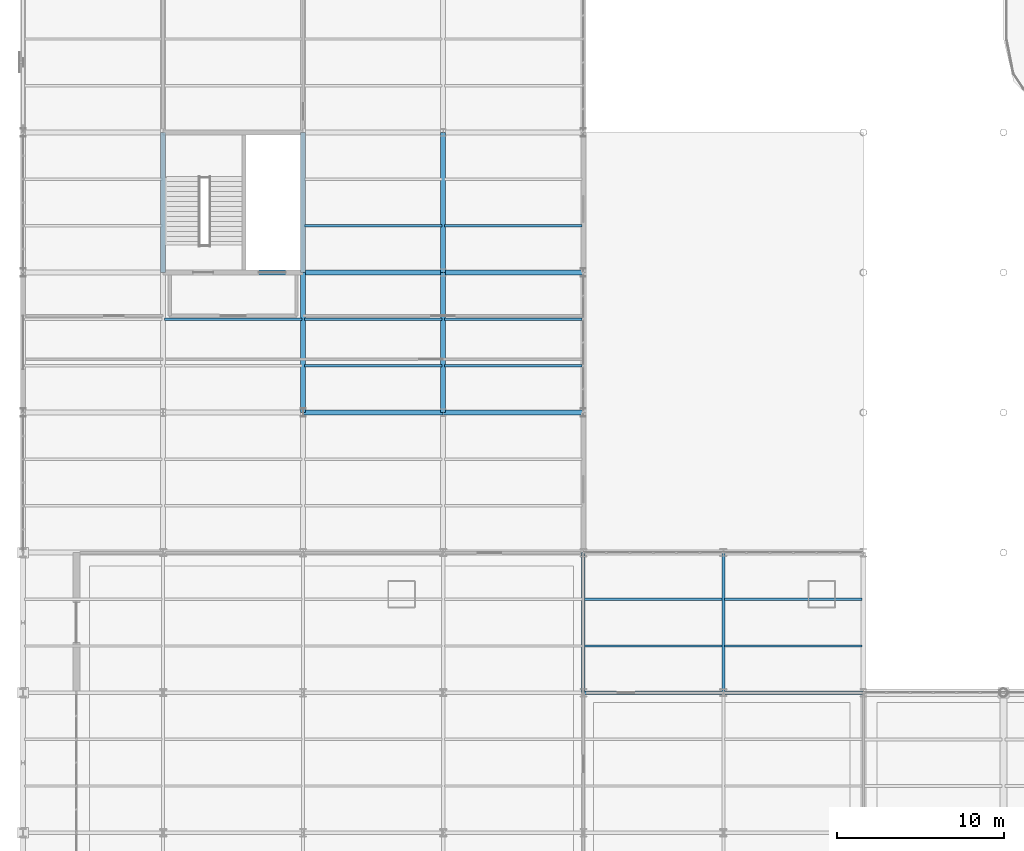
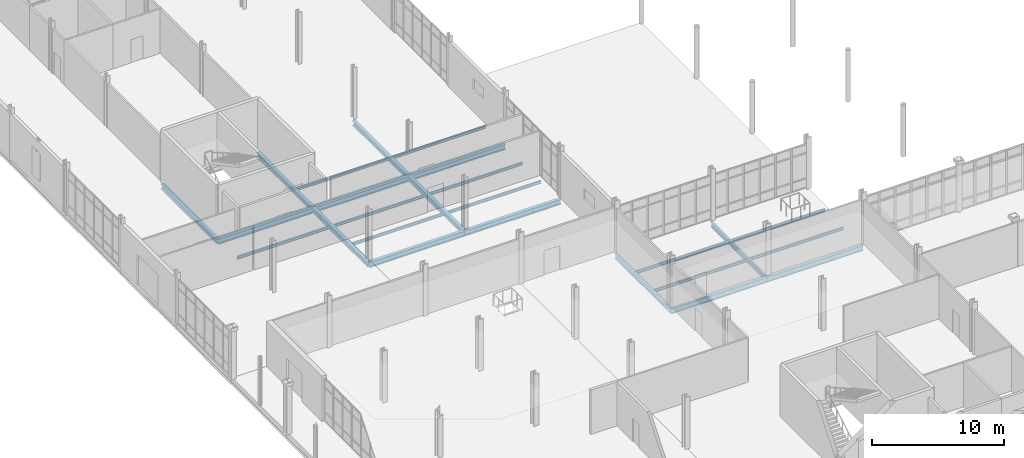
# One storey, part 38 of 145: 25 beams.
"""IFC4 building model written with IfcOpenShell, lengths in metres."""

from ifc_helpers import new_model, si_unit, direction, frame, origin, origin_2d, place, context, subcontext, project, spatial, i_section, extrude, material, material_profile, profile_set, type_object, element, save


model = new_model("IFC4")

# Units and contexts
model_context = context("Model", 3, precision=1e-05, world=origin(), true_north=direction((0.0, 1.0)))
body_context = subcontext(model_context, "Body", "Model", "MODEL_VIEW")
ifc_project = project(units=[si_unit("LENGTHUNIT", "METRE"), si_unit("AREAUNIT", "SQUARE_METRE"), si_unit("VOLUMEUNIT", "CUBIC_METRE"), si_unit("PLANEANGLEUNIT", "RADIAN"), si_unit("MASSUNIT", "GRAM", prefix="KILO")], contexts=[model_context])

# Site, building, storey
site_placement = place(None, origin())
site = spatial("IfcSite", under=ifc_project, at=site_placement, CompositionType="ELEMENT")
building_placement = place(site_placement, origin())
building = spatial("IfcBuilding", under=site, at=building_placement, Name="Qalvenar Corner Mobility Hub", CompositionType="ELEMENT")
storey_placement = place(building_placement, origin())
storey = spatial("IfcBuildingStorey", under=building, at=storey_placement, Name="L00", CompositionType="ELEMENT", Elevation=0.0)

# Beams
ifc_material = material(Name="Steel S355", Category="steel")
ifc_material_profile_1 = material_profile(ifc_material, i_section(OverallWidth=0.300048828125, OverallDepth=0.43994140625, WebThickness=0.011474609375, FlangeThickness=0.02099609375, FilletRadius=0.027099609375, at=origin_2d()), Name="HEA450")
ifc_profile_set_1 = profile_set([ifc_material_profile_1], Name="Steel S355")
beam_type_1 = type_object("IfcBeamType", Name="BM-HEA450", PredefinedType="BEAM", material=ifc_profile_set_1)
beam_1_placement = place(storey_placement, frame((8.39990234375, 58.800048828125, -0.43994140625), z_axis=(0.0, 1.0, 0.0), x_axis=(-1.0, 0.0, 0.0)))
element("IfcBeam", 1, at=beam_1_placement, inside=storey, type_object=beam_type_1, Name="Primary Steel Girder GY-0455", PredefinedType="BEAM", context=body_context, shape_type="SweptSolid", body=[
    extrude(i_section(OverallWidth=0.300048828125, OverallDepth=0.43994140625, WebThickness=0.011474609375, FlangeThickness=0.02099609375, FilletRadius=0.027099609375, at=origin_2d()), origin(), (0.0, 0.0, 1.0), 8.39990234375),
])
beam_2_placement = place(storey_placement, frame((16.800048828125, 50.39990234375, -0.43994140625), z_axis=(0.0, 1.0, 0.0), x_axis=(-1.0, 0.0, 0.0)))
element("IfcBeam", 2, at=beam_2_placement, inside=storey, type_object=beam_type_1, Name="Primary Steel Girder GY-0460", PredefinedType="BEAM", context=body_context, shape_type="SweptSolid", body=[
    extrude(i_section(OverallWidth=0.300048828125, OverallDepth=0.43994140625, WebThickness=0.011474609375, FlangeThickness=0.02099609375, FilletRadius=0.027099609375, at=origin_2d()), origin(), (0.0, 0.0, 1.0), 8.400146484375),
])
beam_3_placement = place(storey_placement, frame((16.800048828125, 58.800048828125, -0.43994140625), z_axis=(0.0, 1.0, 0.0), x_axis=(-1.0, 0.0, 0.0)))
element("IfcBeam", 3, at=beam_3_placement, inside=storey, type_object=beam_type_1, Name="Primary Steel Girder GY-0461", PredefinedType="BEAM", context=body_context, shape_type="SweptSolid", body=[
    extrude(i_section(OverallWidth=0.300048828125, OverallDepth=0.43994140625, WebThickness=0.011474609375, FlangeThickness=0.02099609375, FilletRadius=0.027099609375, at=origin_2d()), origin(), (0.0, 0.0, 1.0), 8.39990234375),
])
beam_4_placement = place(storey_placement, frame((25.199951171875, 50.39990234375, -0.43994140625), z_axis=(0.0, 1.0, 0.0), x_axis=(-1.0, 0.0, 0.0)))
element("IfcBeam", 4, at=beam_4_placement, inside=storey, type_object=beam_type_1, Name="Primary Steel Girder GY-0466", PredefinedType="BEAM", context=body_context, shape_type="SweptSolid", body=[
    extrude(i_section(OverallWidth=0.300048828125, OverallDepth=0.43994140625, WebThickness=0.011474609375, FlangeThickness=0.02099609375, FilletRadius=0.027099609375, at=origin_2d()), origin(), (0.0, 0.0, 1.0), 8.400146484375),
])
beam_5_placement = place(storey_placement, frame((25.199951171875, 58.800048828125, -0.43994140625), z_axis=(0.0, 1.0, 0.0), x_axis=(-1.0, 0.0, 0.0)))
element("IfcBeam", 5, at=beam_5_placement, inside=storey, type_object=beam_type_1, Name="Primary Steel Girder GY-0467", PredefinedType="BEAM", context=body_context, shape_type="SweptSolid", body=[
    extrude(i_section(OverallWidth=0.300048828125, OverallDepth=0.43994140625, WebThickness=0.011474609375, FlangeThickness=0.02099609375, FilletRadius=0.027099609375, at=origin_2d()), origin(), (0.0, 0.0, 1.0), 8.39990234375),
])
ifc_material_profile_2 = material_profile(ifc_material, i_section(OverallWidth=0.300048828125, OverallDepth=0.489990234375, WebThickness=0.011962890625, FlangeThickness=0.02294921875, FilletRadius=0.027099609375, at=origin_2d()), Name="HEA500")
ifc_profile_set_2 = profile_set([ifc_material_profile_2], Name="Steel S355")
beam_type_2 = type_object("IfcBeamType", Name="BM-HEA500", PredefinedType="BEAM", material=ifc_profile_set_2)
beam_6_placement = place(storey_placement, frame((16.800048828125, 50.39990234375, -0.465087890625), z_axis=(1.0, 0.0, 0.0), x_axis=(0.0, 1.0, 0.0)))
element("IfcBeam", 6, at=beam_6_placement, inside=storey, type_object=beam_type_2, Name="Primary Steel Girder GX-0425", PredefinedType="BEAM", context=body_context, shape_type="SweptSolid", body=[
    extrude(i_section(OverallWidth=0.300048828125, OverallDepth=0.489990234375, WebThickness=0.011962890625, FlangeThickness=0.02294921875, FilletRadius=0.027099609375, at=origin_2d()), origin(), (0.0, 0.0, 1.0), 8.39990234375),
])
for number, where, z_axis, x_axis, name in (
    (7, (25.199951171875, 50.39990234375, -0.465087890625), (1.0, 0.0, 0.0), (0.0, 1.0, 0.0), "Primary Steel Girder GX-0426"),
    (8, (8.39990234375, 58.800048828125, -0.465087890625), (1.0, 0.0, 0.0), (0.0, 1.0, 0.0), "Primary Steel Girder GX-0428"),
):
    element("IfcBeam", number, at=place(storey_placement, frame(where, z_axis=z_axis, x_axis=x_axis)), inside=storey, type_object=beam_type_2, Name=name, PredefinedType="BEAM", context=body_context, shape_type="SweptSolid", body=[
        extrude(i_section(OverallWidth=0.300048828125, OverallDepth=0.489990234375, WebThickness=0.011962890625, FlangeThickness=0.02294921875, FilletRadius=0.027099609375, at=origin_2d()), origin(), (0.0, 0.0, 1.0), 8.400146484375),
    ])
beam_7_placement = place(storey_placement, frame((16.800048828125, 58.800048828125, -0.465087890625), z_axis=(1.0, 0.0, 0.0), x_axis=(0.0, 1.0, 0.0)))
element("IfcBeam", 9, at=beam_7_placement, inside=storey, type_object=beam_type_2, Name="Primary Steel Girder GX-0429", PredefinedType="BEAM", context=body_context, shape_type="SweptSolid", body=[
    extrude(i_section(OverallWidth=0.300048828125, OverallDepth=0.489990234375, WebThickness=0.011962890625, FlangeThickness=0.02294921875, FilletRadius=0.027099609375, at=origin_2d()), origin(), (0.0, 0.0, 1.0), 8.39990234375),
])
beam_8_placement = place(storey_placement, frame((25.199951171875, 58.800048828125, -0.465087890625), z_axis=(1.0, 0.0, 0.0), x_axis=(0.0, 1.0, 0.0)))
element("IfcBeam", 10, at=beam_8_placement, inside=storey, type_object=beam_type_2, Name="Primary Steel Girder GX-0430", PredefinedType="BEAM", context=body_context, shape_type="SweptSolid", body=[
    extrude(i_section(OverallWidth=0.300048828125, OverallDepth=0.489990234375, WebThickness=0.011962890625, FlangeThickness=0.02294921875, FilletRadius=0.027099609375, at=origin_2d()), origin(), (0.0, 0.0, 1.0), 8.400146484375),
])
ifc_material_profile_3 = material_profile(ifc_material, i_section(OverallWidth=0.18994140625, OverallDepth=0.449951171875, WebThickness=0.009521484375, FlangeThickness=0.0146484375, FilletRadius=0.02099609375, at=origin_2d()), Name="IPE450")
ifc_profile_set_3 = profile_set([ifc_material_profile_3], Name="Steel S355")
beam_type_3 = type_object("IfcBeamType", Name="BM-IPE450", PredefinedType="BEAM", material=ifc_profile_set_3)
for number, where, z_axis, x_axis, name in (
    (11, (33.60009765625, 33.60009765625, -0.445068359375), (0.0, 1.0, 0.0), (-1.0, 0.0, 0.0), "Primary Steel Girder GY-0061"),
    (12, (42.0, 33.60009765625, -0.445068359375), (0.0, 1.0, 0.0), (-1.0, 0.0, 0.0), "Primary Steel Girder GY-0066"),
):
    element("IfcBeam", number, at=place(storey_placement, frame(where, z_axis=z_axis, x_axis=x_axis)), inside=storey, type_object=beam_type_3, Name=name, PredefinedType="BEAM", context=body_context, shape_type="SweptSolid", body=[
        extrude(i_section(OverallWidth=0.18994140625, OverallDepth=0.449951171875, WebThickness=0.009521484375, FlangeThickness=0.0146484375, FilletRadius=0.02099609375, at=origin_2d()), origin(), (0.0, 0.0, 1.0), 8.39990234375),
    ])
ifc_material_profile_4 = material_profile(ifc_material, i_section(OverallWidth=0.199951171875, OverallDepth=0.5, WebThickness=0.01025390625, FlangeThickness=0.01611328125, FilletRadius=0.02099609375, at=origin_2d()), Name="IPE500")
ifc_profile_set_4 = profile_set([ifc_material_profile_4], Name="Steel S355")
beam_type_4 = type_object("IfcBeamType", Name="BM-IPE500", PredefinedType="BEAM", material=ifc_profile_set_4)
for number, where, z_axis, x_axis, name in (
    (13, (33.60009765625, 33.60009765625, -0.469970703125), (1.0, 0.0, 0.0), (0.0, 1.0, 0.0), "Primary Steel Girder GX-0029"),
    (14, (42.0, 33.60009765625, -0.469970703125), (1.0, 0.0, 0.0), (0.0, 1.0, 0.0), "Primary Steel Girder GX-0030"),
):
    element("IfcBeam", number, at=place(storey_placement, frame(where, z_axis=z_axis, x_axis=x_axis)), inside=storey, type_object=beam_type_4, Name=name, PredefinedType="BEAM", context=body_context, shape_type="SweptSolid", body=[
        extrude(i_section(OverallWidth=0.199951171875, OverallDepth=0.5, WebThickness=0.01025390625, FlangeThickness=0.01611328125, FilletRadius=0.02099609375, at=origin_2d()), origin(), (0.0, 0.0, 1.0), 8.39990234375),
    ])
ifc_material_profile_5 = material_profile(ifc_material, i_section(OverallWidth=0.14599609375, OverallDepth=0.258056640625, WebThickness=0.006103515625, FlangeThickness=0.009033203125, FilletRadius=0.011962890625, at=origin_2d()), Name="W250x32.7")
ifc_profile_set_5 = profile_set([ifc_material_profile_5], Name="Steel S355")
beam_type_5 = type_object("IfcBeamType", Name="BM-JST250", PredefinedType="JOIST", material=ifc_profile_set_5)
beam_9_placement = place(storey_placement, frame((8.47802734375, 56.0, -0.34912109375), z_axis=(1.0, 0.0, 0.0), x_axis=(0.0, 1.0, 0.0)))
element("IfcBeam", 15, at=beam_9_placement, inside=storey, type_object=beam_type_5, Name="Composite Floor Joist J-0492", PredefinedType="JOIST", context=body_context, shape_type="SweptSolid", body=[
    extrude(i_section(OverallWidth=0.14599609375, OverallDepth=0.258056640625, WebThickness=0.006103515625, FlangeThickness=0.009033203125, FilletRadius=0.011962890625, at=origin_2d()), origin(), (0.0, 0.0, 1.0), 8.243896484375),
])
for number, where, z_axis, x_axis, name in (
    (16, (16.8779296875, 53.199951171875, -0.34912109375), (1.0, 0.0, 0.0), (0.0, 1.0, 0.0), "Composite Floor Joist J-0501"),
    (17, (16.8779296875, 56.0, -0.34912109375), (1.0, 0.0, 0.0), (0.0, 1.0, 0.0), "Composite Floor Joist J-0502"),
    (18, (16.8779296875, 61.60009765625, -0.34912109375), (1.0, 0.0, 0.0), (0.0, 1.0, 0.0), "Composite Floor Joist J-0503"),
):
    element("IfcBeam", number, at=place(storey_placement, frame(where, z_axis=z_axis, x_axis=x_axis)), inside=storey, type_object=beam_type_5, Name=name, PredefinedType="JOIST", context=body_context, shape_type="SweptSolid", body=[
        extrude(i_section(OverallWidth=0.14599609375, OverallDepth=0.258056640625, WebThickness=0.006103515625, FlangeThickness=0.009033203125, FilletRadius=0.011962890625, at=origin_2d()), origin(), (0.0, 0.0, 1.0), 8.244140625),
    ])
for number, where, z_axis, x_axis, name in (
    (19, (25.278076171875, 53.199951171875, -0.34912109375), (1.0, 0.0, 0.0), (0.0, 1.0, 0.0), "Composite Floor Joist J-0513"),
    (20, (25.278076171875, 56.0, -0.34912109375), (1.0, 0.0, 0.0), (0.0, 1.0, 0.0), "Composite Floor Joist J-0514"),
    (21, (25.278076171875, 61.60009765625, -0.34912109375), (1.0, 0.0, 0.0), (0.0, 1.0, 0.0), "Composite Floor Joist J-0515"),
):
    element("IfcBeam", number, at=place(storey_placement, frame(where, z_axis=z_axis, x_axis=x_axis)), inside=storey, type_object=beam_type_5, Name=name, PredefinedType="JOIST", context=body_context, shape_type="SweptSolid", body=[
        extrude(i_section(OverallWidth=0.14599609375, OverallDepth=0.258056640625, WebThickness=0.006103515625, FlangeThickness=0.009033203125, FilletRadius=0.011962890625, at=origin_2d()), origin(), (0.0, 0.0, 1.0), 8.243896484375),
    ])
ifc_material_profile_6 = material_profile(ifc_material, i_section(OverallWidth=0.135009765625, OverallDepth=0.27001953125, WebThickness=0.006591796875, FlangeThickness=0.01025390625, FilletRadius=0.014892578125, at=origin_2d()), Name="IPE270")
ifc_profile_set_6 = profile_set([ifc_material_profile_6], Name="Steel S355")
beam_type_6 = type_object("IfcBeamType", Name="BM-JST270", PredefinedType="JOIST", material=ifc_profile_set_6)
for number, where, z_axis, x_axis, name in (
    (22, (33.677978515625, 36.39990234375, -0.35498046875), (1.0, 0.0, 0.0), (0.0, 1.0, 0.0), "Composite Floor Joist J-0117"),
    (23, (33.677978515625, 39.199951171875, -0.35498046875), (1.0, 0.0, 0.0), (0.0, 1.0, 0.0), "Composite Floor Joist J-0118"),
    (24, (42.077880859375, 36.39990234375, -0.35498046875), (1.0, 0.0, 0.0), (0.0, 1.0, 0.0), "Composite Floor Joist J-0127"),
    (25, (42.077880859375, 39.199951171875, -0.35498046875), (1.0, 0.0, 0.0), (0.0, 1.0, 0.0), "Composite Floor Joist J-0128"),
):
    element("IfcBeam", number, at=place(storey_placement, frame(where, z_axis=z_axis, x_axis=x_axis)), inside=storey, type_object=beam_type_6, Name=name, PredefinedType="JOIST", context=body_context, shape_type="SweptSolid", body=[
        extrude(i_section(OverallWidth=0.135009765625, OverallDepth=0.27001953125, WebThickness=0.006591796875, FlangeThickness=0.01025390625, FilletRadius=0.014892578125, at=origin_2d()), origin(), (0.0, 0.0, 1.0), 8.244140625),
    ])

save(model, "model.ifc")
